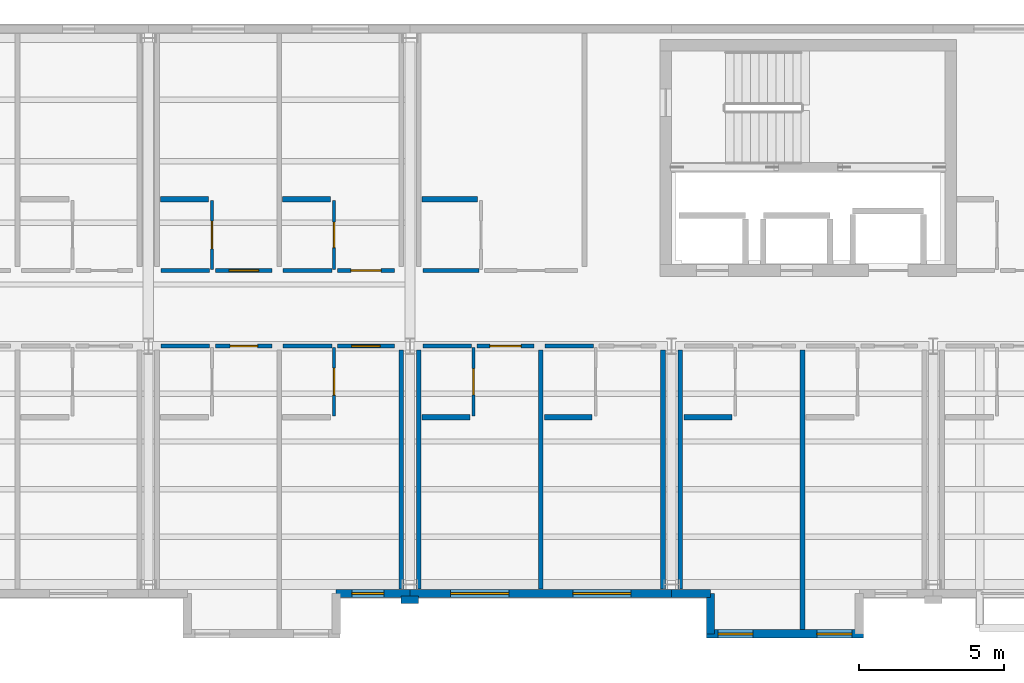
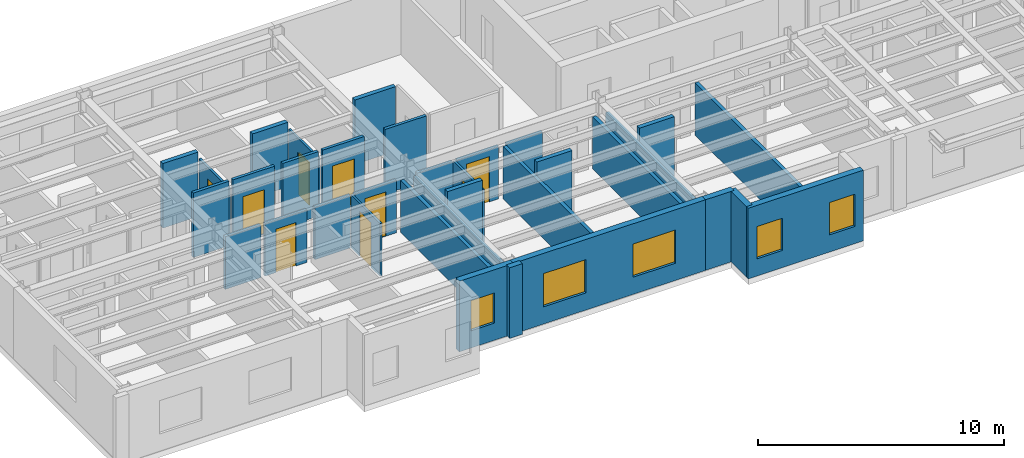
# One storey, part 8 of 17: 34 walls, 9 doors, 5 windows, 14 openings.
"""IFC4 building model written with IfcOpenShell, lengths in metres."""

from ifc_helpers import new_model, si_unit, direction, frame, frame_2d, origin, place, context, subcontext, project, spatial, rectangle, extrude, material, layer, layer_set, type_object, element, fill, save


model = new_model("IFC4")

# Units and contexts
model_context = context("Model", 3, precision=1e-05, world=origin(), true_north=direction((0.0, 1.0)))
body_context = subcontext(model_context, "Body", "Model", "MODEL_VIEW")
ifc_project = project(units=[si_unit("LENGTHUNIT", "METRE"), si_unit("AREAUNIT", "SQUARE_METRE"), si_unit("VOLUMEUNIT", "CUBIC_METRE"), si_unit("PLANEANGLEUNIT", "RADIAN"), si_unit("MASSUNIT", "GRAM", prefix="KILO")], contexts=[model_context])

# Site, building, storey
site_placement = place(None, origin())
site = spatial("IfcSite", under=ifc_project, at=site_placement, CompositionType="ELEMENT")
building_placement = place(site_placement, origin())
building = spatial("IfcBuilding", under=site, at=building_placement, Name="Sollismere Congress Hotel", CompositionType="ELEMENT")
storey_placement = place(building_placement, frame((0.0, 0.0, 37.60009765625)))
storey = spatial("IfcBuildingStorey", under=building, at=storey_placement, Name="L09", CompositionType="ELEMENT", Elevation=37.60009765625)

# Wall, opening, window
ifc_material_1 = material(Name="Colorado Buff Sandstone Rainscreen on Insulated Backup", Category="masonry")
ifc_layer_1 = layer(ifc_material_1, 0.284912109375, Name="Colorado Buff Sandstone Rainscreen on Insulated Backup")
ifc_layer_set_1 = layer_set([ifc_layer_1], Name="Colorado Buff Sandstone Rainscreen on Insulated Backup")
wall_type_1 = type_object("IfcWallType", Name="WL-EXT285", PredefinedType="STANDARD", material=ifc_layer_set_1)
wall_1_placement = place(storey_placement, frame((82.4599609375, -0.31005859375, 0.0), z_axis=(0.0, 0.0, 1.0), x_axis=(1.0, 0.0, 0.0)))
wall_1 = element("IfcWall", 1, at=wall_1_placement, inside=storey, type_object=wall_type_1, Name="Exterior wall EW-L09-879", PredefinedType="STANDARD", context=body_context, shape_type="SweptSolid", body=[
    extrude(rectangle(XDim=2.5400390625, YDim=0.284912109375, at=frame_2d((1.27001953125, 0.0))), origin(), (0.0, 0.0, 1.0), 3.5),
])
opening_1_placement = place(wall_1_placement, frame((0.544921875, 0.0, 0.85009765625)))
opening_1 = element("IfcOpeningElement", 2, at=opening_1_placement, cuts=wall_1, Name="Opening W-L09-633", PredefinedType="OPENING", context=body_context, shape_type="SweptSolid", body=[
    extrude(rectangle(XDim=1.10009765625, YDim=1.5, at=frame_2d((0.550048828125, 0.75))), frame((0.0, 0.15234375, 0.0), z_axis=(0.0, -1.0, 0.0), x_axis=(1.0, 0.0, 0.0)), (0.0, 0.0, 1.0), 0.304931640625),
])
ifc_material_2 = material(Name="Thermally Broken Bronze Aluminum & Low-E Glass", Category="aluminium")
window_type_1 = type_object("IfcWindowType", Name="WN-P110x150", PartitioningType="SINGLE_PANEL", PredefinedType="WINDOW", material=ifc_material_2)
window_1_placement = place(opening_1_placement, origin())
window_1 = element("IfcWindow", 3, at=window_1_placement, inside=storey, type_object=window_type_1, Name="WIN-W-L09-633", OverallHeight=1.5, OverallWidth=1.10009765625, PartitioningType="SINGLE_PANEL", PredefinedType="WINDOW", context=body_context, shape_type="SweptSolid", body=[
    extrude(rectangle(XDim=1.10009765625, YDim=1.5, at=frame_2d((0.550048828125, 0.75))), frame((0.0, 0.030029296875, 0.0), z_axis=(0.0, -1.0, 0.0), x_axis=(1.0, 0.0, 0.0)), (0.0, 0.0, 1.0), 0.06005859375),
])
fill(opening_1, window_1)

# Wall, openings, windows
wall_2_placement = place(storey_placement, frame((85.0, -0.31005859375, 0.0), z_axis=(0.0, 0.0, 1.0), x_axis=(1.0, 0.0, 0.0)))
wall_2 = element("IfcWall", 4, at=wall_2_placement, inside=storey, type_object=wall_type_1, Name="Exterior wall EW-L09-883", PredefinedType="STANDARD", context=body_context, shape_type="SweptSolid", body=[
    extrude(rectangle(XDim=9.0, YDim=0.284912109375, at=frame_2d((4.5, 0.0))), origin(), (0.0, 0.0, 1.0), 3.5),
])
opening_2_placement = place(wall_2_placement, frame((1.39990234375, 0.0, 0.85009765625)))
opening_2 = element("IfcOpeningElement", 5, at=opening_2_placement, cuts=wall_2, Name="Opening W-L09-636", PredefinedType="OPENING", context=body_context, shape_type="SweptSolid", body=[
    extrude(rectangle(XDim=2.0, YDim=1.64990234375, at=frame_2d((1.0, 0.824951171875))), frame((0.0, 0.15234375, 0.0), z_axis=(0.0, -1.0, 0.0), x_axis=(1.0, 0.0, 0.0)), (0.0, 0.0, 1.0), 0.304931640625),
])
opening_3_placement = place(wall_2_placement, frame((5.60009765625, 0.0, 0.85009765625)))
opening_3 = element("IfcOpeningElement", 6, at=opening_3_placement, cuts=wall_2, Name="Opening W-L09-637", PredefinedType="OPENING", context=body_context, shape_type="SweptSolid", body=[
    extrude(rectangle(XDim=2.0, YDim=1.64990234375, at=frame_2d((1.0, 0.824951171875))), frame((0.0, 0.15234375, 0.0), z_axis=(0.0, -1.0, 0.0), x_axis=(1.0, 0.0, 0.0)), (0.0, 0.0, 1.0), 0.304931640625),
])
window_type_2 = type_object("IfcWindowType", Name="WN-P200x165", PartitioningType="SINGLE_PANEL", PredefinedType="WINDOW", material=ifc_material_2)
window_2_placement = place(opening_2_placement, origin())
window_2 = element("IfcWindow", 7, at=window_2_placement, inside=storey, type_object=window_type_2, Name="WIN-W-L09-636", OverallHeight=1.64990234375, OverallWidth=2.0, PartitioningType="SINGLE_PANEL", PredefinedType="WINDOW", context=body_context, shape_type="SweptSolid", body=[
    extrude(rectangle(XDim=2.0, YDim=1.64990234375, at=frame_2d((1.0, 0.824951171875))), frame((0.0, 0.030029296875, 0.0), z_axis=(0.0, -1.0, 0.0), x_axis=(1.0, 0.0, 0.0)), (0.0, 0.0, 1.0), 0.06005859375),
])
fill(opening_2, window_2)
window_3_placement = place(opening_3_placement, origin())
window_3 = element("IfcWindow", 8, at=window_3_placement, inside=storey, type_object=window_type_2, Name="WIN-W-L09-637", OverallHeight=1.64990234375, OverallWidth=2.0, PartitioningType="SINGLE_PANEL", PredefinedType="WINDOW", context=body_context, shape_type="SweptSolid", body=[
    extrude(rectangle(XDim=2.0, YDim=1.64990234375, at=frame_2d((1.0, 0.824951171875))), frame((0.0, 0.030029296875, 0.0), z_axis=(0.0, -1.0, 0.0), x_axis=(1.0, 0.0, 0.0)), (0.0, 0.0, 1.0), 0.06005859375),
])
fill(opening_3, window_3)

# Wall
wall_3_placement = place(storey_placement, frame((94.0, -0.31005859375, 0.0), z_axis=(0.0, 0.0, 1.0), x_axis=(1.0, 0.0, 0.0)))
element("IfcWall", 9, at=wall_3_placement, inside=storey, type_object=wall_type_1, Name="Exterior wall EW-L09-885", PredefinedType="STANDARD", context=body_context, shape_type="SweptSolid", body=[
    extrude(rectangle(XDim=1.340087890625, YDim=0.284912109375, at=frame_2d((0.669921875, 0.0))), origin(), (0.0, 0.0, 1.0), 3.5),
])

# Wall, openings, windows
wall_4_placement = place(storey_placement, frame((95.199951171875, -1.699951171875, 0.0), z_axis=(0.0, 0.0, 1.0), x_axis=(1.0, 0.0, 0.0)))
wall_4 = element("IfcWall", 10, at=wall_4_placement, inside=storey, type_object=wall_type_1, Name="Exterior wall EW-L09-887", PredefinedType="STANDARD", context=body_context, shape_type="SweptSolid", body=[
    extrude(rectangle(XDim=5.400146484375, YDim=0.284912109375, at=frame_2d((2.7001953125, 0.0))), origin(), (0.0, 0.0, 1.0), 3.5),
])
opening_4_placement = place(wall_4_placement, frame((0.39990234375, 0.0, 0.85009765625)))
opening_4 = element("IfcOpeningElement", 11, at=opening_4_placement, cuts=wall_4, Name="Opening W-L09-639", PredefinedType="OPENING", context=body_context, shape_type="SweptSolid", body=[
    extrude(rectangle(XDim=1.199951171875, YDim=1.60009765625, at=frame_2d((0.60009765625, 0.800048828125))), frame((0.0, 0.15234375, 0.0), z_axis=(0.0, -1.0, 0.0), x_axis=(1.0, 0.0, 0.0)), (0.0, 0.0, 1.0), 0.304931640625),
])
opening_5_placement = place(wall_4_placement, frame((3.800048828125, 0.0, 0.85009765625)))
opening_5 = element("IfcOpeningElement", 12, at=opening_5_placement, cuts=wall_4, Name="Opening W-L09-640", PredefinedType="OPENING", context=body_context, shape_type="SweptSolid", body=[
    extrude(rectangle(XDim=1.199951171875, YDim=1.60009765625, at=frame_2d((0.60009765625, 0.800048828125))), frame((0.0, 0.15234375, 0.0), z_axis=(0.0, -1.0, 0.0), x_axis=(1.0, 0.0, 0.0)), (0.0, 0.0, 1.0), 0.304931640625),
])
window_type_3 = type_object("IfcWindowType", Name="WN-P120x160", PartitioningType="SINGLE_PANEL", PredefinedType="WINDOW", material=ifc_material_2)
window_4_placement = place(opening_4_placement, origin())
window_4 = element("IfcWindow", 13, at=window_4_placement, inside=storey, type_object=window_type_3, Name="WIN-W-L09-639", OverallHeight=1.60009765625, OverallWidth=1.199951171875, PartitioningType="SINGLE_PANEL", PredefinedType="WINDOW", context=body_context, shape_type="SweptSolid", body=[
    extrude(rectangle(XDim=1.199951171875, YDim=1.60009765625, at=frame_2d((0.60009765625, 0.800048828125))), frame((0.0, 0.030029296875, 0.0), z_axis=(0.0, -1.0, 0.0), x_axis=(1.0, 0.0, 0.0)), (0.0, 0.0, 1.0), 0.06005859375),
])
fill(opening_4, window_4)
window_5_placement = place(opening_5_placement, origin())
window_5 = element("IfcWindow", 14, at=window_5_placement, inside=storey, type_object=window_type_3, Name="WIN-W-L09-640", OverallHeight=1.60009765625, OverallWidth=1.199951171875, PartitioningType="SINGLE_PANEL", PredefinedType="WINDOW", context=body_context, shape_type="SweptSolid", body=[
    extrude(rectangle(XDim=1.199951171875, YDim=1.60009765625, at=frame_2d((0.60009765625, 0.800048828125))), frame((0.0, 0.030029296875, 0.0), z_axis=(0.0, -1.0, 0.0), x_axis=(1.0, 0.0, 0.0)), (0.0, 0.0, 1.0), 0.06005859375),
])
fill(opening_5, window_5)

# Walls
wall_5_placement = place(storey_placement, frame((95.340087890625, -0.31005859375, 0.0), z_axis=(0.0, 0.0, 1.0), x_axis=(0.0, -1.0, 0.0)))
element("IfcWall", 15, at=wall_5_placement, inside=storey, type_object=wall_type_1, Name="Exterior wall EW-L09-888", PredefinedType="STANDARD", context=body_context, shape_type="SweptSolid", body=[
    extrude(rectangle(XDim=1.389892578125, YDim=0.284912109375, at=frame_2d((0.69482421875, 0.0))), origin(), (0.0, 0.0, 1.0), 3.5),
])
ifc_material_3 = material(Name="Carved Travertine Pilaster & Frieze Assembly", Category="masonry")
ifc_layer_2 = layer(ifc_material_3, 0.260009765625, Name="Carved Travertine Pilaster & Frieze Assembly")
ifc_layer_set_2 = layer_set([ifc_layer_2], Name="Carved Travertine Pilaster & Frieze Assembly")
wall_type_2 = type_object("IfcWallType", Name="WL-PIL280", PredefinedType="ELEMENTEDWALL", material=ifc_layer_set_2)
wall_6_placement = place(storey_placement, frame((84.699951171875, -0.52001953125, 0.0), z_axis=(0.0, 0.0, 1.0), x_axis=(1.0, 0.0, 0.0)))
element("IfcWall", 16, at=wall_6_placement, inside=storey, type_object=wall_type_2, Name="Exterior wall EW-L09-884", PredefinedType="ELEMENTEDWALL", context=body_context, shape_type="SweptSolid", body=[
    extrude(rectangle(XDim=0.60009765625, YDim=0.260009765625, at=frame_2d((0.300048828125, 0.0))), origin(), (0.0, 0.0, 1.0), 3.5),
])
ifc_material_4 = material(Name="Moisture-Resistant Shaft Gypsum Assembly")
ifc_layer_3 = layer(ifc_material_4, 0.199951171875, Name="Moisture-Resistant Shaft Gypsum Assembly")
ifc_layer_set_3 = layer_set([ifc_layer_3], Name="Moisture-Resistant Shaft Gypsum Assembly")
wall_type_3 = type_object("IfcWallType", Name="WL-PLM200", PredefinedType="PLUMBINGWALL", material=ifc_layer_set_3)
wall_7_placement = place(storey_placement, frame((76.419921875, 13.25, 0.0), z_axis=(0.0, 0.0, 1.0), x_axis=(1.0, 0.0, 0.0)))
element("IfcWall", 17, at=wall_7_placement, inside=storey, type_object=wall_type_3, Name="Interior wall IW-L09-2598", PredefinedType="PLUMBINGWALL", context=body_context, shape_type="SweptSolid", body=[
    extrude(rectangle(XDim=1.650146484375, YDim=0.199951171875, at=frame_2d((0.8251953125, 0.0))), origin(), (0.0, 0.0, 1.0), 3.199951171875),
])
wall_8_placement = place(storey_placement, frame((80.6201171875, 13.25, 0.0), z_axis=(0.0, 0.0, 1.0), x_axis=(1.0, 0.0, 0.0)))
element("IfcWall", 18, at=wall_8_placement, inside=storey, type_object=wall_type_3, Name="Interior wall IW-L09-2603", PredefinedType="PLUMBINGWALL", context=body_context, shape_type="SweptSolid", body=[
    extrude(rectangle(XDim=1.64990234375, YDim=0.199951171875, at=frame_2d((0.824951171875, 0.0))), origin(), (0.0, 0.0, 1.0), 3.199951171875),
])
wall_9_placement = place(storey_placement, frame((85.419921875, 5.75, 0.0), z_axis=(0.0, 0.0, 1.0), x_axis=(1.0, 0.0, 0.0)))
element("IfcWall", 19, at=wall_9_placement, inside=storey, type_object=wall_type_3, Name="Interior wall IW-L09-2609", PredefinedType="PLUMBINGWALL", context=body_context, shape_type="SweptSolid", body=[
    extrude(rectangle(XDim=1.650146484375, YDim=0.199951171875, at=frame_2d((0.8251953125, 0.0))), origin(), (0.0, 0.0, 1.0), 3.199951171875),
])
wall_10_placement = place(storey_placement, frame((89.6201171875, 5.75, 0.0), z_axis=(0.0, 0.0, 1.0), x_axis=(1.0, 0.0, 0.0)))
element("IfcWall", 20, at=wall_10_placement, inside=storey, type_object=wall_type_3, Name="Interior wall IW-L09-2614", PredefinedType="PLUMBINGWALL", context=body_context, shape_type="SweptSolid", body=[
    extrude(rectangle(XDim=1.64990234375, YDim=0.199951171875, at=frame_2d((0.824951171875, 0.0))), origin(), (0.0, 0.0, 1.0), 3.199951171875),
])
wall_11_placement = place(storey_placement, frame((85.419921875, 13.25, 0.0), z_axis=(0.0, 0.0, 1.0), x_axis=(1.0, 0.0, 0.0)))
element("IfcWall", 21, at=wall_11_placement, inside=storey, type_object=wall_type_3, Name="Interior wall IW-L09-2620", PredefinedType="PLUMBINGWALL", context=body_context, shape_type="SweptSolid", body=[
    extrude(rectangle(XDim=1.91015625, YDim=0.199951171875, at=frame_2d((0.955078125, 0.0))), origin(), (0.0, 0.0, 1.0), 3.199951171875),
])
wall_12_placement = place(storey_placement, frame((94.419921875, 5.75, 0.0), z_axis=(0.0, 0.0, 1.0), x_axis=(1.0, 0.0, 0.0)))
element("IfcWall", 22, at=wall_12_placement, inside=storey, type_object=wall_type_3, Name="Interior wall IW-L09-2626", PredefinedType="PLUMBINGWALL", context=body_context, shape_type="SweptSolid", body=[
    extrude(rectangle(XDim=1.650146484375, YDim=0.199951171875, at=frame_2d((0.8251953125, 0.0))), origin(), (0.0, 0.0, 1.0), 3.199951171875),
])

# Wall, opening, door
ifc_material_5 = material(Name="Moisture-Resistant Gypsum Partition")
ifc_layer_4 = layer(ifc_material_5, 0.10009765625, Name="Moisture-Resistant Gypsum Partition")
ifc_layer_set_4 = layer_set([ifc_layer_4], Name="Moisture-Resistant Gypsum Partition")
wall_type_4 = type_object("IfcWallType", Name="WL-PRT100", PredefinedType="PARTITIONING", material=ifc_layer_set_4)
wall_13_placement = place(storey_placement, frame((82.389892578125, 5.7900390625, 0.0), z_axis=(0.0, 0.0, 1.0), x_axis=(0.0, 1.0, 0.0)))
wall_13 = element("IfcWall", 23, at=wall_13_placement, inside=storey, type_object=wall_type_4, Name="Interior wall IW-L09-2591", PredefinedType="PARTITIONING", context=body_context, shape_type="SweptSolid", body=[
    extrude(rectangle(XDim=2.369873046875, YDim=0.10009765625, at=frame_2d((1.18505859375, 0.0))), origin(), (0.0, 0.0, 1.0), 2.61279296875),
])
opening_6_placement = place(wall_13_placement, frame((0.719970703125, 0.0, 0.0)))
opening_6 = element("IfcOpeningElement", 24, at=opening_6_placement, cuts=wall_13, Name="Opening D-L09-0915", PredefinedType="OPENING", context=body_context, shape_type="SweptSolid", body=[
    extrude(rectangle(XDim=0.929931640625, YDim=2.219970703125, at=frame_2d((0.46484375, 1.10986328125))), frame((0.0, 0.06005859375, 0.0), z_axis=(0.0, -1.0, 0.0), x_axis=(1.0, 0.0, 0.0)), (0.0, 0.0, 1.0), 0.1201171875),
])
ifc_material_6 = material(Name="Moisture-Sealed Timber Bathroom Door", Category="wood")
door_type_1 = type_object("IfcDoorType", Name="DR-BT07", OperationType="NOTDEFINED", PredefinedType="DOOR", material=ifc_material_6)
door_1_placement = place(opening_6_placement, origin())
door_1 = element("IfcDoor", 25, at=door_1_placement, inside=storey, type_object=door_type_1, Name="En-suite bathroom door D-L09-0915", OperationType="SINGLE_SWING_RIGHT", OverallHeight=2.219970703125, OverallWidth=0.929931640625, PredefinedType="DOOR", context=body_context, shape_type="SweptSolid", body=[
    extrude(rectangle(XDim=0.929931640625, YDim=2.219970703125, at=frame_2d((0.46484375, 1.10986328125))), frame((0.0, 0.02490234375, 0.0), z_axis=(0.0, -1.0, 0.0), x_axis=(1.0, 0.0, 0.0)), (0.0, 0.0, 1.0), 0.050048828125),
])
fill(opening_6, door_1)

wall_14_placement = place(storey_placement, frame((78.18994140625, 10.840087890625, 0.0), z_axis=(0.0, 0.0, 1.0), x_axis=(0.0, 1.0, 0.0)))
wall_14 = element("IfcWall", 26, at=wall_14_placement, inside=storey, type_object=wall_type_4, Name="Interior wall IW-L09-2597", PredefinedType="PARTITIONING", context=body_context, shape_type="SweptSolid", body=[
    extrude(rectangle(XDim=2.369873046875, YDim=0.10009765625, at=frame_2d((1.18505859375, 0.0))), origin(), (0.0, 0.0, 1.0), 2.807861328125),
])
opening_7_placement = place(wall_14_placement, frame((0.7080078125, 0.0, 0.0)))
opening_7 = element("IfcOpeningElement", 27, at=opening_7_placement, cuts=wall_14, Name="Opening D-L09-0917", PredefinedType="OPENING", context=body_context, shape_type="SweptSolid", body=[
    extrude(rectangle(XDim=0.955078125, YDim=2.219970703125, at=frame_2d((0.4775390625, 1.10986328125))), frame((0.0, 0.06005859375, 0.0), z_axis=(0.0, -1.0, 0.0), x_axis=(1.0, 0.0, 0.0)), (0.0, 0.0, 1.0), 0.1201171875),
])
door_type_2 = type_object("IfcDoorType", Name="DR-BT08", OperationType="NOTDEFINED", PredefinedType="DOOR", material=ifc_material_6)
door_2_placement = place(opening_7_placement, origin())
door_2 = element("IfcDoor", 28, at=door_2_placement, inside=storey, type_object=door_type_2, Name="En-suite bathroom door D-L09-0917", OperationType="SINGLE_SWING_RIGHT", OverallHeight=2.219970703125, OverallWidth=0.955078125, PredefinedType="DOOR", context=body_context, shape_type="SweptSolid", body=[
    extrude(rectangle(XDim=0.955078125, YDim=2.219970703125, at=frame_2d((0.4775390625, 1.10986328125))), frame((0.0, 0.02490234375, 0.0), z_axis=(0.0, -1.0, 0.0), x_axis=(1.0, 0.0, 0.0)), (0.0, 0.0, 1.0), 0.050048828125),
])
fill(opening_7, door_2)

wall_15_placement = place(storey_placement, frame((82.389892578125, 10.840087890625, 0.0), z_axis=(0.0, 0.0, 1.0), x_axis=(0.0, 1.0, 0.0)))
wall_15 = element("IfcWall", 29, at=wall_15_placement, inside=storey, type_object=wall_type_4, Name="Interior wall IW-L09-2602", PredefinedType="PARTITIONING", context=body_context, shape_type="SweptSolid", body=[
    extrude(rectangle(XDim=2.369873046875, YDim=0.10009765625, at=frame_2d((1.18505859375, 0.0))), origin(), (0.0, 0.0, 1.0), 2.807861328125),
])
opening_8_placement = place(wall_15_placement, frame((0.7451171875, 0.0, 0.0)))
opening_8 = element("IfcOpeningElement", 30, at=opening_8_placement, cuts=wall_15, Name="Opening D-L09-0919", PredefinedType="OPENING", context=body_context, shape_type="SweptSolid", body=[
    extrude(rectangle(XDim=0.8798828125, YDim=2.10009765625, at=frame_2d((0.43994140625, 1.050048828125))), frame((0.0, 0.06005859375, 0.0), z_axis=(0.0, -1.0, 0.0), x_axis=(1.0, 0.0, 0.0)), (0.0, 0.0, 1.0), 0.1201171875),
])
door_type_3 = type_object("IfcDoorType", Name="DR-BT01", OperationType="NOTDEFINED", PredefinedType="DOOR", material=ifc_material_6)
door_3_placement = place(opening_8_placement, origin())
door_3 = element("IfcDoor", 31, at=door_3_placement, inside=storey, type_object=door_type_3, Name="En-suite bathroom door D-L09-0919", OperationType="SINGLE_SWING_RIGHT", OverallHeight=2.10009765625, OverallWidth=0.8798828125, PredefinedType="DOOR", context=body_context, shape_type="SweptSolid", body=[
    extrude(rectangle(XDim=0.8798828125, YDim=2.10009765625, at=frame_2d((0.43994140625, 1.050048828125))), frame((0.0, 0.02490234375, 0.0), z_axis=(0.0, -1.0, 0.0), x_axis=(1.0, 0.0, 0.0)), (0.0, 0.0, 1.0), 0.050048828125),
])
fill(opening_8, door_3)

wall_16_placement = place(storey_placement, frame((87.18994140625, 5.7900390625, 0.0), z_axis=(0.0, 0.0, 1.0), x_axis=(0.0, 1.0, 0.0)))
wall_16 = element("IfcWall", 32, at=wall_16_placement, inside=storey, type_object=wall_type_4, Name="Interior wall IW-L09-2608", PredefinedType="PARTITIONING", context=body_context, shape_type="SweptSolid", body=[
    extrude(rectangle(XDim=2.369873046875, YDim=0.10009765625, at=frame_2d((1.18505859375, 0.0))), origin(), (0.0, 0.0, 1.0), 2.61279296875),
])
opening_9_placement = place(wall_16_placement, frame((0.73291015625, 0.0, 0.0)))
opening_9 = element("IfcOpeningElement", 33, at=opening_9_placement, cuts=wall_16, Name="Opening D-L09-0921", PredefinedType="OPENING", context=body_context, shape_type="SweptSolid", body=[
    extrude(rectangle(XDim=0.905029296875, YDim=2.10009765625, at=frame_2d((0.45263671875, 1.050048828125))), frame((0.0, 0.06005859375, 0.0), z_axis=(0.0, -1.0, 0.0), x_axis=(1.0, 0.0, 0.0)), (0.0, 0.0, 1.0), 0.1201171875),
])
door_type_4 = type_object("IfcDoorType", Name="DR-BT02", OperationType="NOTDEFINED", PredefinedType="DOOR", material=ifc_material_6)
door_4_placement = place(opening_9_placement, origin())
door_4 = element("IfcDoor", 34, at=door_4_placement, inside=storey, type_object=door_type_4, Name="En-suite bathroom door D-L09-0921", OperationType="SINGLE_SWING_RIGHT", OverallHeight=2.10009765625, OverallWidth=0.905029296875, PredefinedType="DOOR", context=body_context, shape_type="SweptSolid", body=[
    extrude(rectangle(XDim=0.905029296875, YDim=2.10009765625, at=frame_2d((0.45263671875, 1.050048828125))), frame((0.0, 0.02490234375, 0.0), z_axis=(0.0, -1.0, 0.0), x_axis=(1.0, 0.0, 0.0)), (0.0, 0.0, 1.0), 0.050048828125),
])
fill(opening_9, door_4)

# Wall
ifc_material_7 = material(Name="Fire-Rated Gypsum Partition")
ifc_layer_5 = layer(ifc_material_7, 0.139892578125, Name="Fire-Rated Gypsum Partition")
ifc_layer_set_5 = layer_set([ifc_layer_5], Name="Fire-Rated Gypsum Partition")
wall_type_5 = type_object("IfcWallType", Name="WL-PRT140R", PredefinedType="PARTITIONING", material=ifc_layer_set_5)
wall_17_placement = place(storey_placement, frame((76.43994140625, 8.199951171875, 0.0), z_axis=(0.0, 0.0, 1.0), x_axis=(1.0, 0.0, 0.0)))
element("IfcWall", 35, at=wall_17_placement, inside=storey, type_object=wall_type_5, Name="Interior wall IW-L09-2582", PredefinedType="PARTITIONING", context=body_context, shape_type="SweptSolid", body=[
    extrude(rectangle(XDim=1.670166015625, YDim=0.139892578125, at=frame_2d((0.8349609375, 0.0))), origin(), (0.0, 0.0, 1.0), 2.61279296875),
])

# Wall, opening, door
wall_18_placement = place(storey_placement, frame((78.31005859375, 8.199951171875, 0.0), z_axis=(0.0, 0.0, 1.0), x_axis=(1.0, 0.0, 0.0)))
wall_18 = element("IfcWall", 36, at=wall_18_placement, inside=storey, type_object=wall_type_5, Name="Interior wall IW-L09-2583", PredefinedType="PARTITIONING", context=body_context, shape_type="SweptSolid", body=[
    extrude(rectangle(XDim=1.949951171875, YDim=0.139892578125, at=frame_2d((0.97509765625, 0.0))), origin(), (0.0, 0.0, 1.0), 2.61279296875),
])
opening_10_placement = place(wall_18_placement, frame((0.5, 0.0, 0.0)))
opening_10 = element("IfcOpeningElement", 37, at=opening_10_placement, cuts=wall_18, Name="Opening D-L09-0912", PredefinedType="OPENING", context=body_context, shape_type="SweptSolid", body=[
    extrude(rectangle(XDim=0.949951171875, YDim=2.14990234375, at=frame_2d((0.47509765625, 1.074951171875))), frame((0.0, 0.079833984375, 0.0), z_axis=(0.0, -1.0, 0.0), x_axis=(1.0, 0.0, 0.0)), (0.0, 0.0, 1.0), 0.159912109375),
])
ifc_material_8 = material(Name="Solid-Core Acoustic Walnut Guestroom Entry Door")
door_type_5 = type_object("IfcDoorType", Name="DR-KY02", OperationType="NOTDEFINED", PredefinedType="DOOR", material=ifc_material_8)
door_5_placement = place(opening_10_placement, origin())
door_5 = element("IfcDoor", 38, at=door_5_placement, inside=storey, type_object=door_type_5, Name="Hotel room entry door D-L09-0912", OperationType="SINGLE_SWING_LEFT", OverallHeight=2.14990234375, OverallWidth=0.949951171875, PredefinedType="DOOR", context=body_context, shape_type="SweptSolid", body=[
    extrude(rectangle(XDim=0.949951171875, YDim=2.14990234375, at=frame_2d((0.47509765625, 1.074951171875))), frame((0.0, 0.02490234375, 0.0), z_axis=(0.0, -1.0, 0.0), x_axis=(1.0, 0.0, 0.0)), (0.0, 0.0, 1.0), 0.050048828125),
])
fill(opening_10, door_5)

# Wall
wall_19_placement = place(storey_placement, frame((80.639892578125, 8.199951171875, 0.0), z_axis=(0.0, 0.0, 1.0), x_axis=(1.0, 0.0, 0.0)))
element("IfcWall", 39, at=wall_19_placement, inside=storey, type_object=wall_type_5, Name="Interior wall IW-L09-2588", PredefinedType="PARTITIONING", context=body_context, shape_type="SweptSolid", body=[
    extrude(rectangle(XDim=1.670166015625, YDim=0.139892578125, at=frame_2d((0.8349609375, 0.0))), origin(), (0.0, 0.0, 1.0), 2.61279296875),
])

# Wall, opening, door
wall_20_placement = place(storey_placement, frame((82.510009765625, 8.199951171875, 0.0), z_axis=(0.0, 0.0, 1.0), x_axis=(1.0, 0.0, 0.0)))
wall_20 = element("IfcWall", 40, at=wall_20_placement, inside=storey, type_object=wall_type_5, Name="Interior wall IW-L09-2589", PredefinedType="PARTITIONING", context=body_context, shape_type="SweptSolid", body=[
    extrude(rectangle(XDim=1.949951171875, YDim=0.139892578125, at=frame_2d((0.97509765625, 0.0))), origin(), (0.0, 0.0, 1.0), 2.61279296875),
])
opening_11_placement = place(wall_20_placement, frame((0.485107421875, 0.0, 0.0)))
opening_11 = element("IfcOpeningElement", 41, at=opening_11_placement, cuts=wall_20, Name="Opening D-L09-0914", PredefinedType="OPENING", context=body_context, shape_type="SweptSolid", body=[
    extrude(rectangle(XDim=0.97998046875, YDim=2.199951171875, at=frame_2d((0.489990234375, 1.10009765625))), frame((0.0, 0.079833984375, 0.0), z_axis=(0.0, -1.0, 0.0), x_axis=(1.0, 0.0, 0.0)), (0.0, 0.0, 1.0), 0.159912109375),
])
door_type_6 = type_object("IfcDoorType", Name="DR-KY03", OperationType="NOTDEFINED", PredefinedType="DOOR", material=ifc_material_8)
door_6_placement = place(opening_11_placement, origin())
door_6 = element("IfcDoor", 42, at=door_6_placement, inside=storey, type_object=door_type_6, Name="Hotel room entry door D-L09-0914", OperationType="SINGLE_SWING_LEFT", OverallHeight=2.199951171875, OverallWidth=0.97998046875, PredefinedType="DOOR", context=body_context, shape_type="SweptSolid", body=[
    extrude(rectangle(XDim=0.97998046875, YDim=2.199951171875, at=frame_2d((0.489990234375, 1.10009765625))), frame((0.0, 0.02490234375, 0.0), z_axis=(0.0, -1.0, 0.0), x_axis=(1.0, 0.0, 0.0)), (0.0, 0.0, 1.0), 0.050048828125),
])
fill(opening_11, door_6)

# Wall
wall_21_placement = place(storey_placement, frame((76.43994140625, 10.800048828125, 0.0), z_axis=(0.0, 0.0, 1.0), x_axis=(1.0, 0.0, 0.0)))
element("IfcWall", 43, at=wall_21_placement, inside=storey, type_object=wall_type_5, Name="Interior wall IW-L09-2593", PredefinedType="PARTITIONING", context=body_context, shape_type="SweptSolid", body=[
    extrude(rectangle(XDim=1.670166015625, YDim=0.139892578125, at=frame_2d((0.8349609375, 0.0))), origin(), (0.0, 0.0, 1.0), 3.199951171875),
])

# Wall, opening, door
wall_22_placement = place(storey_placement, frame((78.31005859375, 10.800048828125, 0.0), z_axis=(0.0, 0.0, 1.0), x_axis=(1.0, 0.0, 0.0)))
wall_22 = element("IfcWall", 44, at=wall_22_placement, inside=storey, type_object=wall_type_5, Name="Interior wall IW-L09-2594", PredefinedType="PARTITIONING", context=body_context, shape_type="SweptSolid", body=[
    extrude(rectangle(XDim=1.949951171875, YDim=0.139892578125, at=frame_2d((0.97509765625, 0.0))), origin(), (0.0, 0.0, 1.0), 3.199951171875),
])
opening_12_placement = place(wall_22_placement, frame((0.469970703125, 0.0, 0.0)))
opening_12 = element("IfcOpeningElement", 45, at=opening_12_placement, cuts=wall_22, Name="Opening D-L09-0916", PredefinedType="OPENING", context=body_context, shape_type="SweptSolid", body=[
    extrude(rectangle(XDim=1.010009765625, YDim=2.199951171875, at=frame_2d((0.5048828125, 1.10009765625))), frame((0.0, 0.079833984375, 0.0), z_axis=(0.0, -1.0, 0.0), x_axis=(1.0, 0.0, 0.0)), (0.0, 0.0, 1.0), 0.159912109375),
])
door_type_7 = type_object("IfcDoorType", Name="DR-KY04", OperationType="NOTDEFINED", PredefinedType="DOOR", material=ifc_material_8)
door_7_placement = place(opening_12_placement, origin())
door_7 = element("IfcDoor", 46, at=door_7_placement, inside=storey, type_object=door_type_7, Name="Hotel room entry door D-L09-0916", OperationType="SINGLE_SWING_LEFT", OverallHeight=2.199951171875, OverallWidth=1.010009765625, PredefinedType="DOOR", context=body_context, shape_type="SweptSolid", body=[
    extrude(rectangle(XDim=1.010009765625, YDim=2.199951171875, at=frame_2d((0.5048828125, 1.10009765625))), frame((0.0, 0.02490234375, 0.0), z_axis=(0.0, -1.0, 0.0), x_axis=(1.0, 0.0, 0.0)), (0.0, 0.0, 1.0), 0.050048828125),
])
fill(opening_12, door_7)

# Wall
wall_23_placement = place(storey_placement, frame((80.639892578125, 10.800048828125, 0.0), z_axis=(0.0, 0.0, 1.0), x_axis=(1.0, 0.0, 0.0)))
element("IfcWall", 47, at=wall_23_placement, inside=storey, type_object=wall_type_5, Name="Interior wall IW-L09-2599", PredefinedType="PARTITIONING", context=body_context, shape_type="SweptSolid", body=[
    extrude(rectangle(XDim=1.670166015625, YDim=0.139892578125, at=frame_2d((0.8349609375, 0.0))), origin(), (0.0, 0.0, 1.0), 3.199951171875),
])

# Wall, opening, door
wall_24_placement = place(storey_placement, frame((82.510009765625, 10.800048828125, 0.0), z_axis=(0.0, 0.0, 1.0), x_axis=(1.0, 0.0, 0.0)))
wall_24 = element("IfcWall", 48, at=wall_24_placement, inside=storey, type_object=wall_type_5, Name="Interior wall IW-L09-2600", PredefinedType="PARTITIONING", context=body_context, shape_type="SweptSolid", body=[
    extrude(rectangle(XDim=1.949951171875, YDim=0.139892578125, at=frame_2d((0.97509765625, 0.0))), origin(), (0.0, 0.0, 1.0), 3.199951171875),
])
opening_13_placement = place(wall_24_placement, frame((0.455078125, 0.0, 0.0)))
opening_13 = element("IfcOpeningElement", 49, at=opening_13_placement, cuts=wall_24, Name="Opening D-L09-0918", PredefinedType="OPENING", context=body_context, shape_type="SweptSolid", body=[
    extrude(rectangle(XDim=1.0400390625, YDim=2.25, at=frame_2d((0.52001953125, 1.125))), frame((0.0, 0.079833984375, 0.0), z_axis=(0.0, -1.0, 0.0), x_axis=(1.0, 0.0, 0.0)), (0.0, 0.0, 1.0), 0.159912109375),
])
door_type_8 = type_object("IfcDoorType", Name="DR-KY05", OperationType="NOTDEFINED", PredefinedType="DOOR", material=ifc_material_8)
door_8_placement = place(opening_13_placement, origin())
door_8 = element("IfcDoor", 50, at=door_8_placement, inside=storey, type_object=door_type_8, Name="Hotel room entry door D-L09-0918", OperationType="SINGLE_SWING_LEFT", OverallHeight=2.25, OverallWidth=1.0400390625, PredefinedType="DOOR", context=body_context, shape_type="SweptSolid", body=[
    extrude(rectangle(XDim=1.0400390625, YDim=2.25, at=frame_2d((0.52001953125, 1.125))), frame((0.0, 0.02490234375, 0.0), z_axis=(0.0, -1.0, 0.0), x_axis=(1.0, 0.0, 0.0)), (0.0, 0.0, 1.0), 0.050048828125),
])
fill(opening_13, door_8)

# Wall
wall_25_placement = place(storey_placement, frame((85.43994140625, 8.199951171875, 0.0), z_axis=(0.0, 0.0, 1.0), x_axis=(1.0, 0.0, 0.0)))
element("IfcWall", 51, at=wall_25_placement, inside=storey, type_object=wall_type_5, Name="Interior wall IW-L09-2604", PredefinedType="PARTITIONING", context=body_context, shape_type="SweptSolid", body=[
    extrude(rectangle(XDim=1.670166015625, YDim=0.139892578125, at=frame_2d((0.8349609375, 0.0))), origin(), (0.0, 0.0, 1.0), 2.61279296875),
])

# Wall, opening, door
wall_26_placement = place(storey_placement, frame((87.31005859375, 8.199951171875, 0.0), z_axis=(0.0, 0.0, 1.0), x_axis=(1.0, 0.0, 0.0)))
wall_26 = element("IfcWall", 52, at=wall_26_placement, inside=storey, type_object=wall_type_5, Name="Interior wall IW-L09-2605", PredefinedType="PARTITIONING", context=body_context, shape_type="SweptSolid", body=[
    extrude(rectangle(XDim=1.949951171875, YDim=0.139892578125, at=frame_2d((0.97509765625, 0.0))), origin(), (0.0, 0.0, 1.0), 2.61279296875),
])
opening_14_placement = place(wall_26_placement, frame((0.43994140625, 0.0, 0.0)))
opening_14 = element("IfcOpeningElement", 53, at=opening_14_placement, cuts=wall_26, Name="Opening D-L09-0920", PredefinedType="OPENING", context=body_context, shape_type="SweptSolid", body=[
    extrude(rectangle(XDim=1.070068359375, YDim=2.25, at=frame_2d((0.53515625, 1.125))), frame((0.0, 0.079833984375, 0.0), z_axis=(0.0, -1.0, 0.0), x_axis=(1.0, 0.0, 0.0)), (0.0, 0.0, 1.0), 0.159912109375),
])
door_type_9 = type_object("IfcDoorType", Name="DR-KY06", OperationType="NOTDEFINED", PredefinedType="DOOR", material=ifc_material_8)
door_9_placement = place(opening_14_placement, origin())
door_9 = element("IfcDoor", 54, at=door_9_placement, inside=storey, type_object=door_type_9, Name="Hotel room entry door D-L09-0920", OperationType="SINGLE_SWING_LEFT", OverallHeight=2.25, OverallWidth=1.070068359375, PredefinedType="DOOR", context=body_context, shape_type="SweptSolid", body=[
    extrude(rectangle(XDim=1.070068359375, YDim=2.25, at=frame_2d((0.53515625, 1.125))), frame((0.0, 0.02490234375, 0.0), z_axis=(0.0, -1.0, 0.0), x_axis=(1.0, 0.0, 0.0)), (0.0, 0.0, 1.0), 0.050048828125),
])
fill(opening_14, door_9)

# Walls
wall_27_placement = place(storey_placement, frame((89.639892578125, 8.199951171875, 0.0), z_axis=(0.0, 0.0, 1.0), x_axis=(1.0, 0.0, 0.0)))
element("IfcWall", 55, at=wall_27_placement, inside=storey, type_object=wall_type_5, Name="Interior wall IW-L09-2610", PredefinedType="PARTITIONING", context=body_context, shape_type="SweptSolid", body=[
    extrude(rectangle(XDim=1.670166015625, YDim=0.139892578125, at=frame_2d((0.8349609375, 0.0))), origin(), (0.0, 0.0, 1.0), 2.61279296875),
])
wall_28_placement = place(storey_placement, frame((85.43994140625, 10.800048828125, 0.0), z_axis=(0.0, 0.0, 1.0), x_axis=(1.0, 0.0, 0.0)))
element("IfcWall", 56, at=wall_28_placement, inside=storey, type_object=wall_type_5, Name="Interior wall IW-L09-2615", PredefinedType="PARTITIONING", context=body_context, shape_type="SweptSolid", body=[
    extrude(rectangle(XDim=1.93017578125, YDim=0.139892578125, at=frame_2d((0.965087890625, 0.0))), origin(), (0.0, 0.0, 1.0), 3.199951171875),
])
ifc_material_9 = material(Name="Fire-Rated Acoustic Gypsum Partition")
ifc_layer_6 = layer(ifc_material_9, 0.1650390625, Name="Fire-Rated Acoustic Gypsum Partition")
ifc_layer_set_6 = layer_set([ifc_layer_6], Name="Fire-Rated Acoustic Gypsum Partition")
wall_type_6 = type_object("IfcWallType", Name="WL-PRT165R", PredefinedType="PARTITIONING", material=ifc_layer_set_6)
for number, where, z_axis, x_axis, name in (
    (57, (84.699951171875, -0.152587890625, 0.0), (0.0, 0.0, 1.0), (0.0, 1.0, 0.0), "Interior wall IW-L09-2590"),
    (58, (85.300048828125, -0.152587890625, 0.0), (0.0, 0.0, 1.0), (0.0, 1.0, 0.0), "Interior wall IW-L09-2606"),
    (59, (89.5, -0.152587890625, 0.0), (0.0, 0.0, 1.0), (0.0, 1.0, 0.0), "Interior wall IW-L09-2607"),
    (60, (93.699951171875, -0.152587890625, 0.0), (0.0, 0.0, 1.0), (0.0, 1.0, 0.0), "Interior wall IW-L09-2612"),
    (61, (94.300048828125, -0.152587890625, 0.0), (0.0, 0.0, 1.0), (0.0, 1.0, 0.0), "Interior wall IW-L09-2623"),
):
    element("IfcWall", number, at=place(storey_placement, frame(where, z_axis=z_axis, x_axis=x_axis)), inside=storey, type_object=wall_type_6, Name=name, PredefinedType="PARTITIONING", context=body_context, shape_type="SweptSolid", body=[
        extrude(rectangle(XDim=8.212646484375, YDim=0.1650390625, at=frame_2d((4.1064453125, 0.0))), origin(), (0.0, 0.0, 1.0), 2.58984375),
    ])
wall_29_placement = place(storey_placement, frame((98.5, -1.54248046875, 0.0), z_axis=(0.0, 0.0, 1.0), x_axis=(0.0, 1.0, 0.0)))
element("IfcWall", 62, at=wall_29_placement, inside=storey, type_object=wall_type_6, Name="Interior wall IW-L09-2624", PredefinedType="PARTITIONING", context=body_context, shape_type="SweptSolid", body=[
    extrude(rectangle(XDim=9.6025390625, YDim=0.1650390625, at=frame_2d((4.80126953125, 0.0))), origin(), (0.0, 0.0, 1.0), 2.58984375),
])

save(model, "model.ifc")
